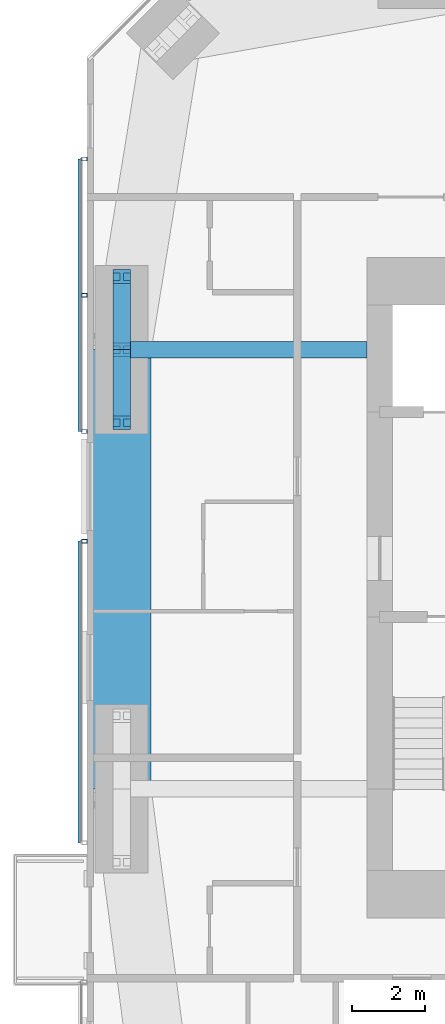
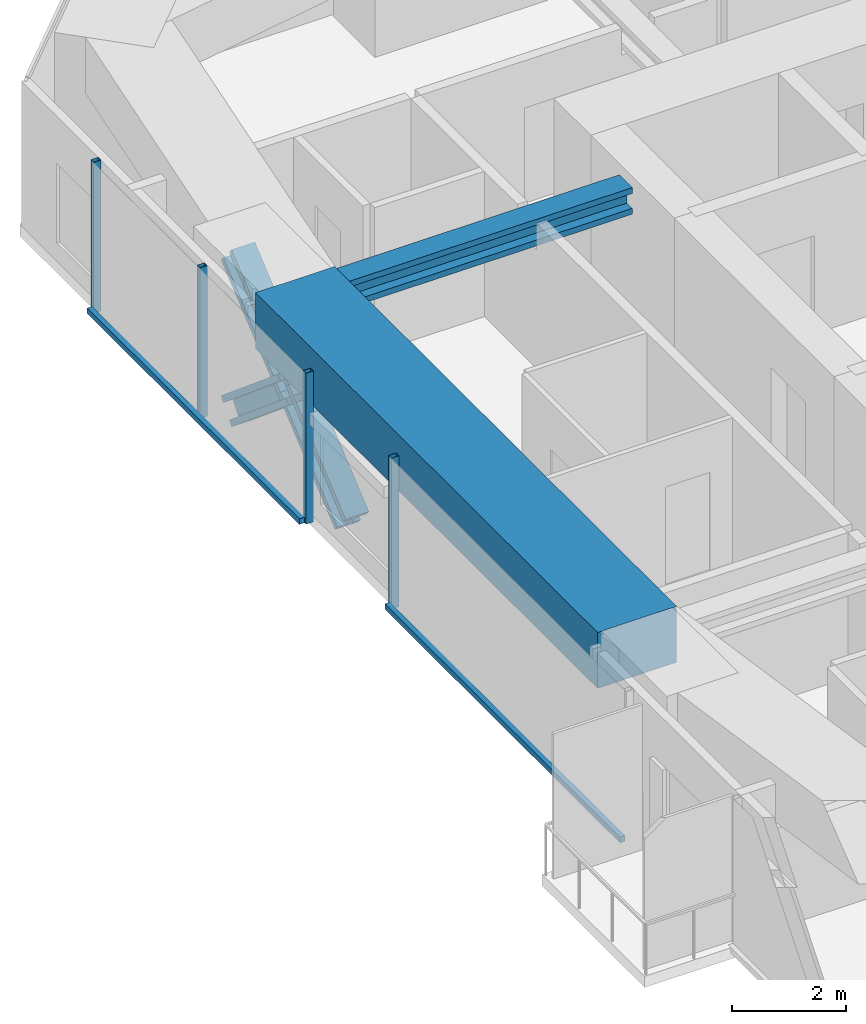
# One storey, part 5 of 22: 10 members, 2 beams, 2 elements without a shape of their own.
"""IFC4 building model written with IfcOpenShell, lengths in metres."""

from ifc_helpers import new_model, si_unit, direction, frame, origin, origin_2d, place, context, subcontext, project, spatial, rectangle, hollow_rectangle, i_section, extrude, material, material_profile, profile_set, type_object, element, aggregate, save


model = new_model("IFC4")

# Units and contexts
model_context = context("Model", 3, precision=1e-05, world=origin(), true_north=direction((0.0, 1.0)))
body_context = subcontext(model_context, "Body", "Model", "MODEL_VIEW")
ifc_project = project(units=[si_unit("LENGTHUNIT", "METRE"), si_unit("AREAUNIT", "SQUARE_METRE"), si_unit("VOLUMEUNIT", "CUBIC_METRE"), si_unit("PLANEANGLEUNIT", "RADIAN"), si_unit("MASSUNIT", "GRAM", prefix="KILO")], contexts=[model_context])

# Site, building, storey
site_placement = place(None, origin())
site = spatial("IfcSite", under=ifc_project, at=site_placement, CompositionType="ELEMENT")
building_placement = place(site_placement, origin())
building = spatial("IfcBuilding", under=site, at=building_placement, Name="Jalousie Tower", CompositionType="ELEMENT")
storey_placement = place(building_placement, frame((0.0, 0.0, 174.449951171875)))
storey = spatial("IfcBuildingStorey", under=building, at=storey_placement, Name="L47", CompositionType="ELEMENT", Elevation=174.449951171875)

# Beam
ifc_material_1 = material(Name="Steel ASTM A992 Grade 50", Category="steel")
ifc_material_profile_1 = material_profile(ifc_material_1, i_section(OverallWidth=0.45458984375, OverallDepth=0.569091796875, WebThickness=0.077880859375, FlangeThickness=0.124755859375, at=origin_2d()), Name="W14X730")
ifc_profile_set_1 = profile_set([ifc_material_profile_1], Name="Steel ASTM A992 Grade 50")
beam_type_1 = type_object("IfcBeamType", Name="LEAN COLLECTOR W14X730", PredefinedType="BEAM", material=ifc_profile_set_1)
beam_1_placement = place(storey_placement, frame((12.949951171875, 25.0, 2.825439453125), z_axis=(1.0, 0.0, 0.0), x_axis=(0.0, 1.0, 0.0)))
element("IfcBeam", 1, at=beam_1_placement, inside=storey, type_object=beam_type_1, Name="Lean collector under L48", PredefinedType="BEAM", context=body_context, shape_type="SweptSolid", body=[
    extrude(i_section(OverallWidth=0.45458984375, OverallDepth=0.569091796875, WebThickness=0.077880859375, FlangeThickness=0.124755859375, at=origin_2d()), origin(), (0.0, 0.0, 1.0), 6.699951171875),
])

# Members
ifc_material_2 = material(Name="Steel ASTM A992 Grade 50", Category="steel")
ifc_material_profile_2 = material_profile(ifc_material_2, i_section(OverallWidth=0.472412109375, OverallDepth=0.5791015625, WebThickness=0.094970703125, FlangeThickness=0.1298828125, at=origin_2d()), Name="W14X808")
ifc_profile_set_2 = profile_set([ifc_material_profile_2], Name="Steel ASTM A992 Grade 50")
member_type_1 = type_object("IfcMemberType", Name="PERIMETER BRACE W14X808", PredefinedType="BRACE", material=ifc_profile_set_2)
member_1_placement = place(storey_placement, frame((12.949951171875, 23.0, -0.599853515625), z_axis=(0.0, 0.766684820047, 0.642023665225), x_axis=(-1.0, 0.0, 0.0)))
element("IfcMember", 2, at=member_1_placement, inside=storey, type_object=member_type_1, Name="Perimeter brace 13 L47 part 1", PredefinedType="BRACE", context=body_context, shape_type="SweptSolid", body=[
    extrude(i_section(OverallWidth=0.472412109375, OverallDepth=0.5791015625, WebThickness=0.094970703125, FlangeThickness=0.1298828125, at=origin_2d()), origin(), (0.0, 0.0, 1.0), 2.608642578125),
])
member_2_placement = place(storey_placement, frame((12.949951171875, 25.0, 1.074951171875), z_axis=(0.0, 0.766638753323, 0.642078672674), x_axis=(-1.0, 0.0, 0.0)))
element("IfcMember", 3, at=member_2_placement, inside=storey, type_object=member_type_1, Name="Perimeter brace 13 L47 part 2", PredefinedType="BRACE", context=body_context, shape_type="SweptSolid", body=[
    extrude(i_section(OverallWidth=0.472412109375, OverallDepth=0.5791015625, WebThickness=0.094970703125, FlangeThickness=0.1298828125, at=origin_2d()), origin(), (0.0, 0.0, 1.0), 2.60888671875),
])
member_3_placement = place(storey_placement, frame((12.949951171875, 27.0, -0.599853515625), z_axis=(0.0, -0.766684820047, 0.642023665225), x_axis=(1.0, 0.0, 0.0)))
element("IfcMember", 4, at=member_3_placement, inside=storey, type_object=member_type_1, Name="Perimeter brace 13 L47 part 3", PredefinedType="BRACE", context=body_context, shape_type="SweptSolid", body=[
    extrude(i_section(OverallWidth=0.472412109375, OverallDepth=0.5791015625, WebThickness=0.094970703125, FlangeThickness=0.1298828125, at=origin_2d()), origin(), (0.0, 0.0, 1.0), 2.608642578125),
])
member_4_placement = place(storey_placement, frame((12.949951171875, 25.0, 1.074951171875), z_axis=(0.0, -0.766638753323, 0.642078672674), x_axis=(1.0, 0.0, 0.0)))
element("IfcMember", 5, at=member_4_placement, inside=storey, type_object=member_type_1, Name="Perimeter brace 13 L47 part 4", PredefinedType="BRACE", context=body_context, shape_type="SweptSolid", body=[
    extrude(i_section(OverallWidth=0.472412109375, OverallDepth=0.5791015625, WebThickness=0.094970703125, FlangeThickness=0.1298828125, at=origin_2d()), origin(), (0.0, 0.0, 1.0), 2.60888671875),
])

# Beam
ifc_material_3 = material(Name="Concrete f'c 40 MPa", Category="concrete")
ifc_material_profile_3 = material_profile(ifc_material_3, rectangle(XDim=1.60009765625, YDim=1.199951171875, at=origin_2d()), Name="RC 1600x1200")
ifc_profile_set_3 = profile_set([ifc_material_profile_3], Name="Concrete f'c 40 MPa")
beam_type_2 = type_object("IfcBeamType", Name="RC BEAM 1600x1200", PredefinedType="BEAM", material=ifc_profile_set_3)
beam_2_placement = place(storey_placement, frame((12.949951171875, 25.0, 2.75), z_axis=(0.0, -1.0, 0.0), x_axis=(1.0, 0.0, 0.0)))
element("IfcBeam", 6, at=beam_2_placement, inside=storey, type_object=beam_type_2, Name="Edge band beam 13-14 under L48", PredefinedType="BEAM", context=body_context, shape_type="SweptSolid", body=[
    extrude(rectangle(XDim=1.60009765625, YDim=1.199951171875, at=origin_2d()), origin(), (0.0, 0.0, 1.0), 12.0),
])

# Curtain wall, members
ifc_material_4 = material(Name="Perforated aluminium sheet", Category="aluminium")
curtain_wall_type = type_object("IfcCurtainWallType", Name="SOLAR SCREEN SS-1", PredefinedType="USERDEFINED", material=ifc_material_4)
curtain_wall_1_placement = place(storey_placement, origin())
curtain_wall_1 = element("IfcCurtainWall", 7, at=curtain_wall_1_placement, inside=storey, type_object=curtain_wall_type, Name="Solar screen L47", ObjectType="SOLAR SCREEN SS-1", PredefinedType="USERDEFINED")
ifc_material_5 = material(Name="Steel ASTM A500 Grade C", Category="steel")
ifc_material_profile_4 = material_profile(ifc_material_5, hollow_rectangle(XDim=0.1015625, YDim=0.15234375, WallThickness=0.00634765625, at=origin_2d()), Name="HSS6X4X1/4")
ifc_profile_set_4 = profile_set([ifc_material_profile_4], Name="Steel ASTM A500 Grade C")
member_type_2 = type_object("IfcMemberType", Name="SOLAR SCREEN SS-1 MULLION", PredefinedType="MULLION", material=ifc_profile_set_4)
member_5_placement = place(storey_placement, frame((11.9287109375, 30.2119140625, -0.119873046875), z_axis=(0.0, 0.0, 1.0), x_axis=(0.0, -1.0, 0.0)))
member_5 = element("IfcMember", 8, at=member_5_placement, type_object=member_type_2, Name="SS1 post 1", PredefinedType="MULLION", context=body_context, shape_type="SweptSolid", body=[
    extrude(hollow_rectangle(XDim=0.1015625, YDim=0.15234375, WallThickness=0.00634765625, at=origin_2d()), origin(), (0.0, 0.0, 1.0), 3.22998046875),
])
member_6_placement = place(storey_placement, frame((11.9287109375, 26.4892578125, -0.119873046875), z_axis=(0.0, 0.0, 1.0), x_axis=(0.0, -1.0, 0.0)))
member_6 = element("IfcMember", 9, at=member_6_placement, type_object=member_type_2, Name="SS1 post 2", PredefinedType="MULLION", context=body_context, shape_type="SweptSolid", body=[
    extrude(hollow_rectangle(XDim=0.1015625, YDim=0.15234375, WallThickness=0.00634765625, at=origin_2d()), origin(), (0.0, 0.0, 1.0), 3.22998046875),
])
member_7_placement = place(storey_placement, frame((11.9287109375, 22.766845703125, -0.119873046875), z_axis=(0.0, 0.0, 1.0), x_axis=(0.0, -1.0, 0.0)))
member_7 = element("IfcMember", 10, at=member_7_placement, type_object=member_type_2, Name="SS1 post 3", PredefinedType="MULLION", context=body_context, shape_type="SweptSolid", body=[
    extrude(hollow_rectangle(XDim=0.1015625, YDim=0.15234375, WallThickness=0.00634765625, at=origin_2d()), origin(), (0.0, 0.0, 1.0), 3.22998046875),
])

# Curtain wall, member
curtain_wall_2_placement = place(storey_placement, origin())
curtain_wall_2 = element("IfcCurtainWall", 11, at=curtain_wall_2_placement, inside=storey, type_object=curtain_wall_type, Name="Solar screen L47", ObjectType="SOLAR SCREEN SS-1", PredefinedType="USERDEFINED")
member_8_placement = place(storey_placement, frame((11.9287109375, 19.766845703125, -0.119873046875), z_axis=(0.0, 0.0, 1.0), x_axis=(0.0, -1.0, 0.0)))
member_8 = element("IfcMember", 12, at=member_8_placement, type_object=member_type_2, Name="SS1 post 1", PredefinedType="MULLION", context=body_context, shape_type="SweptSolid", body=[
    extrude(hollow_rectangle(XDim=0.1015625, YDim=0.15234375, WallThickness=0.00634765625, at=origin_2d()), origin(), (0.0, 0.0, 1.0), 3.22998046875),
])

# Member
ifc_material_6 = material(Name="Extruded aluminium screen rail", Category="aluminium")
ifc_material_profile_5 = material_profile(ifc_material_6, rectangle(XDim=0.1015625, YDim=0.1201171875, at=origin_2d()), Name="RAIL 102x120")
ifc_profile_set_5 = profile_set([ifc_material_profile_5], Name="Extruded aluminium screen rail")
member_type_3 = type_object("IfcMemberType", Name="SOLAR SCREEN SS-1 TRANSOM", PredefinedType="USERDEFINED", material=ifc_profile_set_5)
member_9_placement = place(storey_placement, frame((11.8017578125, 30.2119140625, -0.06005859375), z_axis=(0.0, -1.0, 0.0), x_axis=(1.0, 0.0, 0.0)))
member_9 = element("IfcMember", 13, at=member_9_placement, type_object=member_type_3, Name="SS1 rail", ObjectType="TRANSOM", PredefinedType="USERDEFINED", context=body_context, shape_type="SweptSolid", body=[
    extrude(rectangle(XDim=0.1015625, YDim=0.1201171875, at=origin_2d()), origin(), (0.0, 0.0, 1.0), 7.445068359375),
])

aggregate(curtain_wall_1, [member_5, member_6, member_7, member_9])

member_10_placement = place(storey_placement, frame((11.8017578125, 19.766845703125, -0.06005859375), z_axis=(0.0, -1.0, 0.0), x_axis=(1.0, 0.0, 0.0)))
member_10 = element("IfcMember", 14, at=member_10_placement, type_object=member_type_3, Name="SS1 rail", ObjectType="TRANSOM", PredefinedType="USERDEFINED", context=body_context, shape_type="SweptSolid", body=[
    extrude(rectangle(XDim=0.1015625, YDim=0.1201171875, at=origin_2d()), origin(), (0.0, 0.0, 1.0), 8.241943359375),
])

aggregate(curtain_wall_2, [member_8, member_10])

save(model, "model.ifc")
